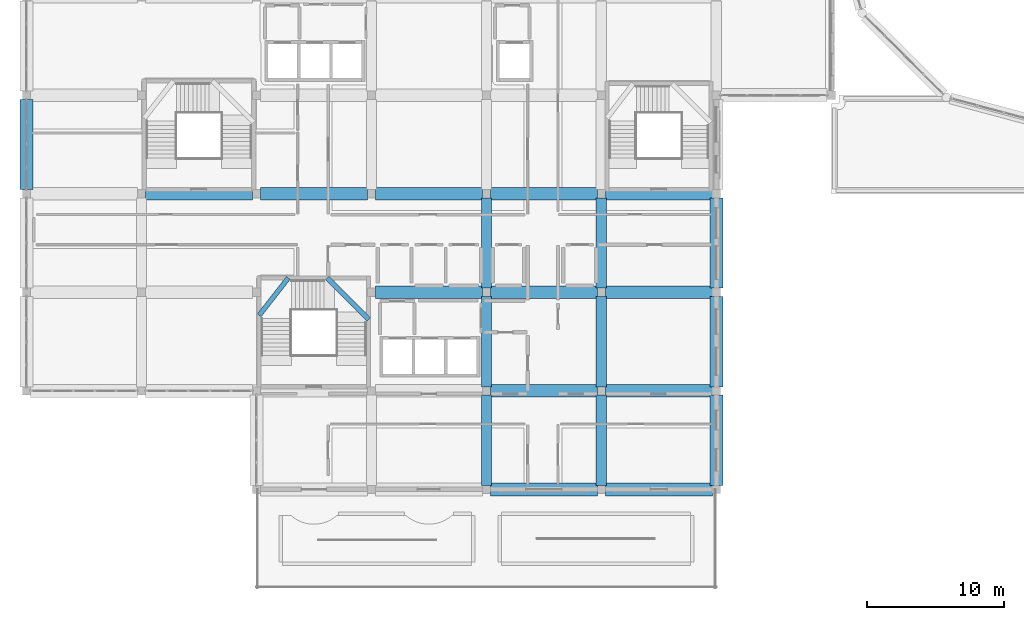
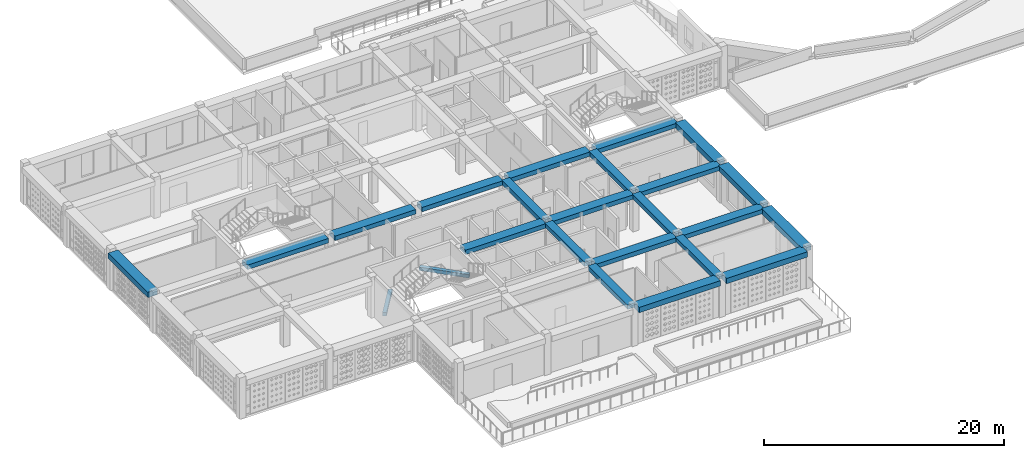
# One storey, part 7 of 48: 24 beams.
"""IFC4 building model written with IfcOpenShell, lengths in metres."""

from ifc_helpers import new_model, si_unit, derived_unit, direction, frame, origin, origin_2d, place, context, subcontext, project, spatial, rectangle, extrude, material, material_profile, profile_set, type_object, element, save


model = new_model("IFC4")

# Units and contexts
model_context = context("Model", 3, precision=1e-05, world=origin(), true_north=direction((0.0, 1.0)))
body_context = subcontext(model_context, "Body", "Model", "MODEL_VIEW")
ifc_project = project(units=[si_unit("LENGTHUNIT", "METRE"), si_unit("AREAUNIT", "SQUARE_METRE"), si_unit("VOLUMEUNIT", "CUBIC_METRE"), si_unit("PLANEANGLEUNIT", "RADIAN"), si_unit("MASSUNIT", "GRAM", prefix="KILO"), derived_unit("THERMALTRANSMITTANCEUNIT", [(si_unit("POWERUNIT", "WATT"), 1), (si_unit("LENGTHUNIT", "METRE"), -2), (si_unit("THERMODYNAMICTEMPERATUREUNIT", "KELVIN"), -1)])], contexts=[model_context])

# Site, building, storey
site_placement = place(None, origin())
site = spatial("IfcSite", under=ifc_project, at=site_placement, CompositionType="ELEMENT")
building_placement = place(site_placement, origin())
building = spatial("IfcBuilding", under=site, at=building_placement, Name="Veybourne Emporium", CompositionType="ELEMENT")
storey_placement = place(building_placement, frame((0.0, 0.0, 27.89990234375)))
storey = spatial("IfcBuildingStorey", under=building, at=storey_placement, Name="L06", CompositionType="ELEMENT", Elevation=27.89990234375)

# Beams
ifc_material = material(Name="Concrete C32/40", Category="concrete")
ifc_material_profile_1 = material_profile(ifc_material, rectangle(XDim=0.35009765625, YDim=0.35009765625, at=origin_2d()), Name="RC 350x350")
ifc_profile_set_1 = profile_set([ifc_material_profile_1], Name="Concrete C32/40")
beam_type_1 = type_object("IfcBeamType", Name="LandingBeam_LB-01", PredefinedType="BEAM", material=ifc_profile_set_1)
beam_1_placement = place(storey_placement, frame((17.0, 19.919921875, 1.125), z_axis=(0.615121224311, 0.788432545879, 0.0), x_axis=(-0.788432545879, 0.615121224311, 0.0)))
element("IfcBeam", 1, at=beam_1_placement, inside=storey, type_object=beam_type_1, Name="L06 ST-01 landing 1 support beam", PredefinedType="BEAM", context=body_context, shape_type="SweptSolid", body=[
    extrude(rectangle(XDim=0.35009765625, YDim=0.35009765625, at=origin_2d()), origin(), (0.0, 0.0, 1.0), 3.462646484375),
])
beam_2_placement = place(storey_placement, frame((21.969970703125, 22.64990234375, 2.47509765625), z_axis=(0.70713526886, -0.707078292366, 0.0), x_axis=(0.707078292366, 0.70713526886, 0.0)))
element("IfcBeam", 2, at=beam_2_placement, inside=storey, type_object=beam_type_1, Name="L06 ST-01 landing 2 support beam", PredefinedType="BEAM", context=body_context, shape_type="SweptSolid", body=[
    extrude(rectangle(XDim=0.35009765625, YDim=0.35009765625, at=origin_2d()), origin(), (0.0, 0.0, 1.0), 4.284912109375),
])
ifc_material_profile_2 = material_profile(ifc_material, rectangle(XDim=0.89990234375, YDim=0.449951171875, at=origin_2d()), Name="RC 900x450")
ifc_profile_set_2 = profile_set([ifc_material_profile_2], Name="Concrete C32/40")
beam_type_2 = type_object("IfcBeamType", Name="RCBeam_BB-03", PredefinedType="BEAM", material=ifc_profile_set_2)
beam_3_placement = place(storey_placement, frame((8.699951171875, 28.800048828125, 3.68505859375), z_axis=(1.0, 0.0, 0.0), x_axis=(0.0, 1.0, 0.0)))
element("IfcBeam", 3, at=beam_3_placement, inside=storey, type_object=beam_type_2, Name="L06 X-grid beam BB-03 (1,4)", PredefinedType="BEAM", context=body_context, shape_type="SweptSolid", body=[
    extrude(rectangle(XDim=0.89990234375, YDim=0.449951171875, at=origin_2d()), origin(), (0.0, 0.0, 1.0), 7.800048828125),
])
beam_4_placement = place(storey_placement, frame((17.10009765625, 28.800048828125, 3.68505859375), z_axis=(1.0, 0.0, 0.0), x_axis=(0.0, 1.0, 0.0)))
element("IfcBeam", 4, at=beam_4_placement, inside=storey, type_object=beam_type_2, Name="L06 X-grid beam BB-03 (2,4)", PredefinedType="BEAM", context=body_context, shape_type="SweptSolid", body=[
    extrude(rectangle(XDim=0.89990234375, YDim=0.449951171875, at=origin_2d()), origin(), (0.0, 0.0, 1.0), 7.7998046875),
])
for number, where, z_axis, x_axis, name in (
    (5, (25.5, 21.60009765625, 3.68505859375), (1.0, 0.0, 0.0), (0.0, 1.0, 0.0), "L06 X-grid beam BB-03 (3,3)"),
    (6, (25.5, 28.800048828125, 3.68505859375), (1.0, 0.0, 0.0), (0.0, 1.0, 0.0), "L06 X-grid beam BB-03 (3,4)"),
    (7, (33.89990234375, 14.39990234375, 3.68505859375), (1.0, 0.0, 0.0), (0.0, 1.0, 0.0), "L06 X-grid beam BB-03 (4,2)"),
    (8, (33.89990234375, 21.60009765625, 3.68505859375), (1.0, 0.0, 0.0), (0.0, 1.0, 0.0), "L06 X-grid beam BB-03 (4,3)"),
    (9, (33.89990234375, 28.800048828125, 3.68505859375), (1.0, 0.0, 0.0), (0.0, 1.0, 0.0), "L06 X-grid beam BB-03 (4,4)"),
    (10, (42.300048828125, 14.39990234375, 3.68505859375), (1.0, 0.0, 0.0), (0.0, 1.0, 0.0), "L06 X-grid beam BB-03 (5,2)"),
    (11, (42.300048828125, 21.60009765625, 3.68505859375), (1.0, 0.0, 0.0), (0.0, 1.0, 0.0), "L06 X-grid beam BB-03 (5,3)"),
    (12, (42.300048828125, 28.800048828125, 3.68505859375), (1.0, 0.0, 0.0), (0.0, 1.0, 0.0), "L06 X-grid beam BB-03 (5,4)"),
):
    element("IfcBeam", number, at=place(storey_placement, frame(where, z_axis=z_axis, x_axis=x_axis)), inside=storey, type_object=beam_type_2, Name=name, PredefinedType="BEAM", context=body_context, shape_type="SweptSolid", body=[
        extrude(rectangle(XDim=0.89990234375, YDim=0.449951171875, at=origin_2d()), origin(), (0.0, 0.0, 1.0), 7.800048828125),
    ])
ifc_material_profile_3 = material_profile(ifc_material, rectangle(XDim=0.75, YDim=0.449951171875, at=origin_2d()), Name="RC 750x450")
ifc_profile_set_3 = profile_set([ifc_material_profile_3], Name="Concrete C32/40")
beam_type_3 = type_object("IfcBeamType", Name="RCBeam_BB-04", PredefinedType="BEAM", material=ifc_profile_set_3)
for number, where, z_axis, x_axis, name in (
    (13, (33.60009765625, 7.5, 3.68505859375), (0.0, 1.0, 0.0), (-1.0, 0.0, 0.0), "L06 Y-grid beam BB-04 (4,1)"),
    (14, (33.60009765625, 14.699951171875, 3.68505859375), (0.0, 1.0, 0.0), (-1.0, 0.0, 0.0), "L06 Y-grid beam BB-04 (4,2)"),
    (15, (33.60009765625, 21.89990234375, 3.68505859375), (0.0, 1.0, 0.0), (-1.0, 0.0, 0.0), "L06 Y-grid beam BB-04 (4,3)"),
    (16, (42.0, 7.5, 3.68505859375), (0.0, 1.0, 0.0), (-1.0, 0.0, 0.0), "L06 Y-grid beam BB-04 (5,1)"),
    (17, (42.0, 14.699951171875, 3.68505859375), (0.0, 1.0, 0.0), (-1.0, 0.0, 0.0), "L06 Y-grid beam BB-04 (5,2)"),
    (18, (42.0, 21.89990234375, 3.68505859375), (0.0, 1.0, 0.0), (-1.0, 0.0, 0.0), "L06 Y-grid beam BB-04 (5,3)"),
):
    element("IfcBeam", number, at=place(storey_placement, frame(where, z_axis=z_axis, x_axis=x_axis)), inside=storey, type_object=beam_type_3, Name=name, PredefinedType="BEAM", context=body_context, shape_type="SweptSolid", body=[
        extrude(rectangle(XDim=0.75, YDim=0.449951171875, at=origin_2d()), origin(), (0.0, 0.0, 1.0), 6.60009765625),
    ])
ifc_material_profile_4 = material_profile(ifc_material, rectangle(XDim=0.949951171875, YDim=0.550048828125, at=origin_2d()), Name="RC 950x550")
ifc_profile_set_4 = profile_set([ifc_material_profile_4], Name="Concrete C32/40")
beam_type_4 = type_object("IfcBeamType", Name="RCBeam_EB-01", PredefinedType="SPANDREL", material=ifc_profile_set_4)
for number, where, z_axis, x_axis, name in (
    (19, (33.89990234375, 7.199951171875, 3.635009765625), (1.0, 0.0, 0.0), (0.0, 1.0, 0.0), "L06 X-grid beam EB-01 (4,1)"),
    (20, (42.300048828125, 7.199951171875, 3.635009765625), (1.0, 0.0, 0.0), (0.0, 1.0, 0.0), "L06 X-grid beam EB-01 (5,1)"),
):
    element("IfcBeam", number, at=place(storey_placement, frame(where, z_axis=z_axis, x_axis=x_axis)), inside=storey, type_object=beam_type_4, Name=name, PredefinedType="SPANDREL", context=body_context, shape_type="SweptSolid", body=[
        extrude(rectangle(XDim=0.949951171875, YDim=0.550048828125, at=origin_2d()), origin(), (0.0, 0.0, 1.0), 7.800048828125),
    ])
beam_5_placement = place(storey_placement, frame((0.0, 29.10009765625, 3.635009765625), z_axis=(0.0, 1.0, 0.0), x_axis=(-1.0, 0.0, 0.0)))
element("IfcBeam", 21, at=beam_5_placement, inside=storey, type_object=beam_type_4, Name="L06 Y-grid beam EB-01 (0,4)", PredefinedType="SPANDREL", context=body_context, shape_type="SweptSolid", body=[
    extrude(rectangle(XDim=0.949951171875, YDim=0.550048828125, at=origin_2d()), origin(), (0.0, 0.0, 1.0), 6.599853515625),
])
for number, where, z_axis, x_axis, name in (
    (22, (50.39990234375, 7.5, 3.635009765625), (0.0, 1.0, 0.0), (-1.0, 0.0, 0.0), "L06 Y-grid beam EB-01 (6,1)"),
    (23, (50.39990234375, 14.699951171875, 3.635009765625), (0.0, 1.0, 0.0), (-1.0, 0.0, 0.0), "L06 Y-grid beam EB-01 (6,2)"),
    (24, (50.39990234375, 21.89990234375, 3.635009765625), (0.0, 1.0, 0.0), (-1.0, 0.0, 0.0), "L06 Y-grid beam EB-01 (6,3)"),
):
    element("IfcBeam", number, at=place(storey_placement, frame(where, z_axis=z_axis, x_axis=x_axis)), inside=storey, type_object=beam_type_4, Name=name, PredefinedType="SPANDREL", context=body_context, shape_type="SweptSolid", body=[
        extrude(rectangle(XDim=0.949951171875, YDim=0.550048828125, at=origin_2d()), origin(), (0.0, 0.0, 1.0), 6.60009765625),
    ])

save(model, "model.ifc")
